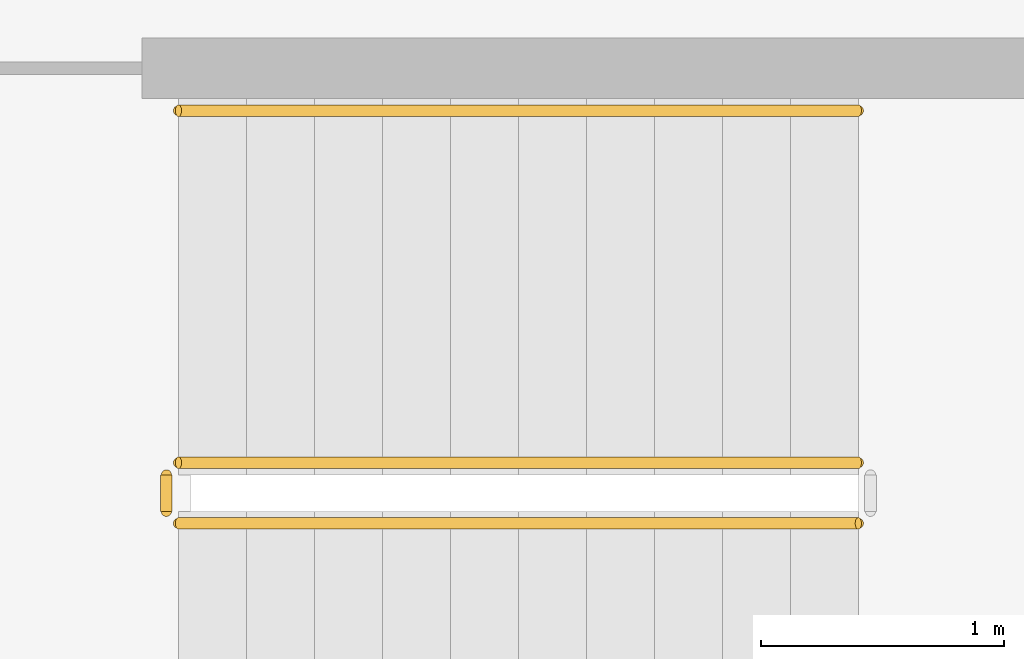
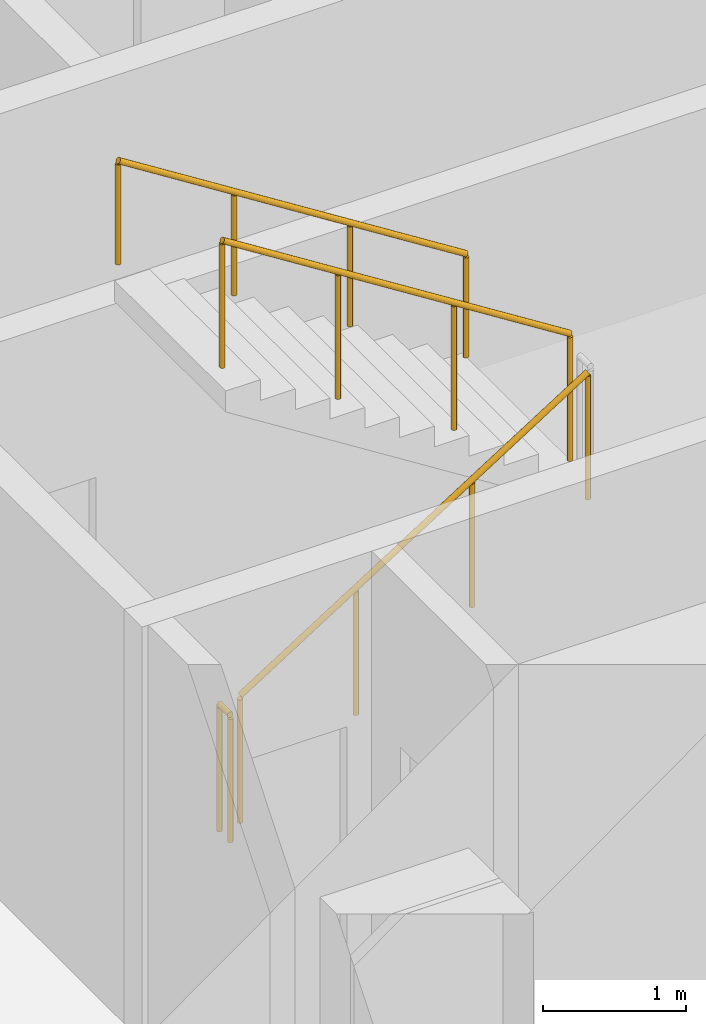
# One storey, part 11 of 18: 4 railings.
"""IFC4 building model written with IfcOpenShell, lengths in metres."""

from ifc_helpers import new_model, si_unit, direction, frame, origin, origin_2d, place, context, subcontext, project, spatial, circle, extrude, material, type_object, element, save


model = new_model("IFC4")

# Units and contexts
model_context = context("Model", 3, precision=1e-05, world=origin(), true_north=direction((0.0, 1.0)))
body_context = subcontext(model_context, "Body", "Model", "MODEL_VIEW")
ifc_project = project(units=[si_unit("LENGTHUNIT", "METRE"), si_unit("AREAUNIT", "SQUARE_METRE"), si_unit("VOLUMEUNIT", "CUBIC_METRE"), si_unit("PLANEANGLEUNIT", "RADIAN"), si_unit("MASSUNIT", "GRAM", prefix="KILO")], contexts=[model_context])

# Site, building, storey
site_placement = place(None, origin())
site = spatial("IfcSite", under=ifc_project, at=site_placement, CompositionType="ELEMENT")
building_placement = place(site_placement, origin())
building = spatial("IfcBuilding", under=site, at=building_placement, Name="Dhurran Vertical Campus", CompositionType="ELEMENT")
storey_placement = place(building_placement, frame((0.0, 0.0, 81.300048828125)))
storey = spatial("IfcBuildingStorey", under=building, at=storey_placement, Name="L19", CompositionType="ELEMENT", Elevation=81.300048828125)

# Railings
ifc_material_1 = material(Name="Stainless steel balustrade", Category="steel")
railing_type_1 = type_object("IfcRailingType", Name="co-RL-GUARD-1100", PredefinedType="GUARDRAIL", material=ifc_material_1)
railing_1_placement = place(storey_placement, frame((-11.10009765625, -9.14990234375, 0.17724609375)))
element("IfcRailing", 1, at=railing_1_placement, inside=storey, type_object=railing_type_1, Name="L19 ST3 stair guard 1", PredefinedType="GUARDRAIL", context=body_context, shape_type="SweptSolid", body=[
    extrude(circle(Radius=0.02392578125, at=origin_2d()), frame((0.0, 0.0, 1.076171875), z_axis=(0.844908973607, 0.0, 0.534910110503), x_axis=(0.0, 1.0, 0.0)), (0.0, 0.0, 1.0), 3.31396484375),
    extrude(circle(Radius=0.02099609375, at=origin_2d()), origin(), (0.0, 0.0, 1.0), 1.052001953125),
    extrude(circle(Radius=0.02099609375, at=origin_2d()), frame((0.933349609375, 0.0, 0.5908203125)), (0.0, 0.0, 1.0), 1.052001953125),
    extrude(circle(Radius=0.02099609375, at=origin_2d()), frame((1.86669921875, 0.0, 1.181884765625)), (0.0, 0.0, 1.0), 1.052001953125),
    extrude(circle(Radius=0.02099609375, at=origin_2d()), frame((2.800048828125, 0.0, 1.772705078125)), (0.0, 0.0, 1.0), 1.052001953125),
])
railing_2_placement = place(storey_placement, frame((-8.300048828125, -8.89990234375, 2.127197265625)))
element("IfcRailing", 2, at=railing_2_placement, inside=storey, type_object=railing_type_1, Name="L19 ST3 stair guard 3", PredefinedType="GUARDRAIL", context=body_context, shape_type="SweptSolid", body=[
    extrude(circle(Radius=0.02392578125, at=origin_2d()), frame((0.0, 0.0, 1.076171875), z_axis=(-0.844908973607, 0.0, 0.534910110503), x_axis=(0.0, -1.0, 0.0)), (0.0, 0.0, 1.0), 3.31396484375),
    extrude(circle(Radius=0.02099609375, at=origin_2d()), origin(), (0.0, 0.0, 1.0), 1.052001953125),
    extrude(circle(Radius=0.02099609375, at=origin_2d()), frame((-0.933349609375, 0.0, 0.5908203125)), (0.0, 0.0, 1.0), 1.052001953125),
    extrude(circle(Radius=0.02099609375, at=origin_2d()), frame((-1.86669921875, 0.0, 1.181884765625)), (0.0, 0.0, 1.0), 1.052001953125),
    extrude(circle(Radius=0.02099609375, at=origin_2d()), frame((-2.800048828125, 0.0, 1.772705078125)), (0.0, 0.0, 1.0), 1.052001953125),
])
railing_3_placement = place(storey_placement, frame((-11.14990234375, -9.10009765625, 0.0)))
element("IfcRailing", 3, at=railing_3_placement, inside=storey, type_object=railing_type_1, Name="L19 ST3 stair guard 4", PredefinedType="GUARDRAIL", context=body_context, shape_type="SweptSolid", body=[
    extrude(circle(Radius=0.02392578125, at=origin_2d()), frame((0.0, 0.0, 1.076171875), z_axis=(0.0, 1.0, 0.0), x_axis=(-1.0, 0.0, 0.0)), (0.0, 0.0, 1.0), 0.150146484375),
    extrude(circle(Radius=0.02099609375, at=origin_2d()), origin(), (0.0, 0.0, 1.0), 1.052001953125),
    extrude(circle(Radius=0.02099609375, at=origin_2d()), frame((0.0, 0.150146484375, 0.0)), (0.0, 0.0, 1.0), 1.052001953125),
])
ifc_material_2 = material(Name="Stainless steel handrail", Category="steel")
railing_type_2 = type_object("IfcRailingType", Name="co-RL-HANDRAIL-900", PredefinedType="HANDRAIL", material=ifc_material_2)
railing_4_placement = place(storey_placement, frame((-8.300048828125, -7.449951171875, 2.127197265625)))
element("IfcRailing", 4, at=railing_4_placement, inside=storey, type_object=railing_type_2, Name="L19 ST3 stair handrail 2", PredefinedType="HANDRAIL", context=body_context, shape_type="SweptSolid", body=[
    extrude(circle(Radius=0.02392578125, at=origin_2d()), frame((0.0, 0.0, 0.8759765625), z_axis=(-0.844908973607, 0.0, 0.534910110503), x_axis=(0.0, -1.0, 0.0)), (0.0, 0.0, 1.0), 3.31396484375),
    extrude(circle(Radius=0.02099609375, at=origin_2d()), origin(), (0.0, 0.0, 1.0), 0.851806640625),
    extrude(circle(Radius=0.02099609375, at=origin_2d()), frame((-0.933349609375, 0.0, 0.5908203125)), (0.0, 0.0, 1.0), 0.851806640625),
    extrude(circle(Radius=0.02099609375, at=origin_2d()), frame((-1.86669921875, 0.0, 1.181884765625)), (0.0, 0.0, 1.0), 0.851806640625),
    extrude(circle(Radius=0.02099609375, at=origin_2d()), frame((-2.800048828125, 0.0, 1.772705078125)), (0.0, 0.0, 1.0), 0.851806640625),
])

save(model, "model.ifc")
